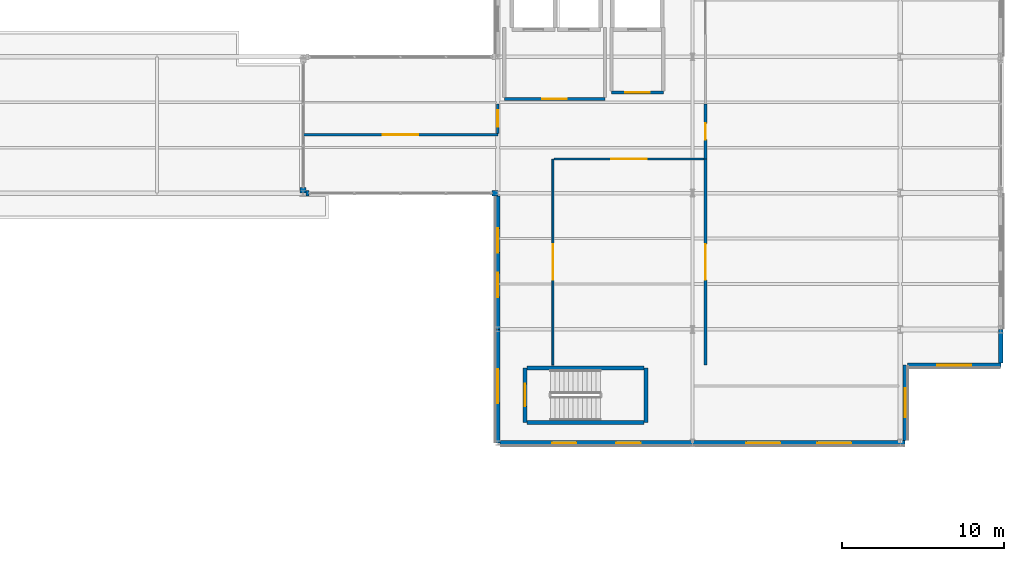
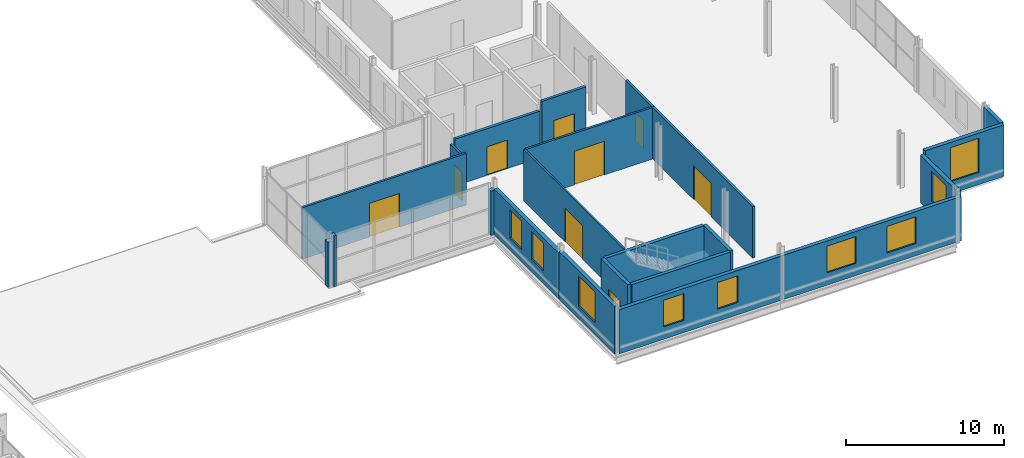
# One storey, part 85 of 93: 22 walls, 9 doors, 9 windows, 18 openings.
"""IFC4 building model written with IfcOpenShell, lengths in metres."""

from ifc_helpers import new_model, si_unit, direction, frame, frame_2d, origin, place, context, subcontext, project, spatial, rectangle, extrude, material, layer, layer_set, type_object, element, fill, save


model = new_model("IFC4")

# Units and contexts
model_context = context("Model", 3, precision=1e-05, world=origin(), true_north=direction((0.0, 1.0)))
body_context = subcontext(model_context, "Body", "Model", "MODEL_VIEW")
ifc_project = project(units=[si_unit("LENGTHUNIT", "METRE"), si_unit("AREAUNIT", "SQUARE_METRE"), si_unit("VOLUMEUNIT", "CUBIC_METRE"), si_unit("PLANEANGLEUNIT", "RADIAN"), si_unit("MASSUNIT", "GRAM", prefix="KILO")], contexts=[model_context])

# Site, building, storey
site_placement = place(None, origin())
site = spatial("IfcSite", under=ifc_project, at=site_placement, CompositionType="ELEMENT")
building_placement = place(site_placement, origin())
building = spatial("IfcBuilding", under=site, at=building_placement, Name="Vekula Escarpment Museum", CompositionType="ELEMENT")
storey_placement = place(building_placement, frame((0.0, 0.0, 22.199951171875)))
storey = spatial("IfcBuildingStorey", under=building, at=storey_placement, Name="L05", CompositionType="ELEMENT", Elevation=22.199951171875)

# Walls
ifc_material_1 = material(Name="Inkisi arkosic sandstone masonry", Category="masonry")
ifc_layer_1 = layer(ifc_material_1, 0.35009765625)
ifc_layer_set_1 = layer_set([ifc_layer_1], Name="Inkisi arkosic sandstone masonry")
wall_type_1 = type_object("IfcWallType", Name="WL-ALM-350", PredefinedType="SOLIDWALL", material=ifc_layer_set_1)
wall_1_placement = place(storey_placement, frame((155.0, 68.360107421875, 0.0), z_axis=(0.0, 0.0, 1.0), x_axis=(0.0, -1.0, 0.0)))
element("IfcWall", 1, at=wall_1_placement, inside=storey, type_object=wall_type_1, Name="Facade Jamb Pier L05-0873B", PredefinedType="SOLIDWALL", context=body_context, shape_type="SweptSolid", body=[
    extrude(rectangle(XDim=0.360107421875, YDim=0.35009765625, at=frame_2d((0.18017578125, 0.0))), origin(), (0.0, 0.0, 1.0), 3.485107421875),
])
wall_2_placement = place(storey_placement, frame((155.178955078125, 68.0, 0.0), z_axis=(0.0, 0.0, 1.0), x_axis=(1.0, 0.0, 0.0)))
element("IfcWall", 2, at=wall_2_placement, inside=storey, type_object=wall_type_1, Name="Facade Jamb Pier L05-0874A", PredefinedType="SOLIDWALL", context=body_context, shape_type="SweptSolid", body=[
    extrude(rectangle(XDim=0.18115234375, YDim=0.35009765625, at=frame_2d((0.090576171875, 0.0))), origin(), (0.0, 0.0, 1.0), 3.97998046875),
])
wall_3_placement = place(storey_placement, frame((166.639892578125, 68.0, 0.0), z_axis=(0.0, 0.0, 1.0), x_axis=(1.0, 0.0, 0.0)))
element("IfcWall", 3, at=wall_3_placement, inside=storey, type_object=wall_type_1, Name="Facade Jamb Pier L05-0875B", PredefinedType="SOLIDWALL", context=body_context, shape_type="SweptSolid", body=[
    extrude(rectangle(XDim=0.360107421875, YDim=0.35009765625, at=frame_2d((0.18017578125, 0.0))), origin(), (0.0, 0.0, 1.0), 3.4150390625),
])

# Wall, opening, door
ifc_material_2 = material(Name="Concrete C35/45", Category="concrete")
ifc_layer_2 = layer(ifc_material_2, 0.25)
ifc_layer_set_2 = layer_set([ifc_layer_2], Name="Concrete C35/45")
wall_type_2 = type_object("IfcWallType", Name="WL-CORE-250", PredefinedType="SHEAR", material=ifc_layer_set_2)
wall_4_placement = place(storey_placement, frame((168.675048828125, 53.875, 0.0), z_axis=(0.0, 0.0, 1.0), x_axis=(0.0, 1.0, 0.0)))
wall_4 = element("IfcWall", 4, at=wall_4_placement, inside=storey, type_object=wall_type_2, Name="Stair Core Wall ST-02 L05 W", PredefinedType="SHEAR", context=body_context, shape_type="SweptSolid", body=[
    extrude(rectangle(XDim=3.35009765625, YDim=0.25, at=frame_2d((1.675048828125, 0.0))), origin(), (0.0, 0.0, 1.0), 3.97998046875),
])
opening_1_placement = place(wall_4_placement, frame((0.97509765625, 0.0, 0.0)))
opening_1 = element("IfcOpeningElement", 5, at=opening_1_placement, cuts=wall_4, Name="Opening DR-FD60", PredefinedType="OPENING", context=body_context, shape_type="SweptSolid", body=[
    extrude(rectangle(XDim=1.39990234375, YDim=2.199951171875, at=frame_2d((0.699951171875, 1.10009765625))), frame((0.0, 0.135009765625, 0.0), z_axis=(0.0, -1.0, 0.0), x_axis=(1.0, 0.0, 0.0)), (0.0, 0.0, 1.0), 0.27001953125),
])
ifc_material_3 = material(Name="Fire-rated steel stair door", Category="steel")
door_type_1 = type_object("IfcDoorType", Name="DR-STAIR-1400x2200", OperationType="NOTDEFINED", PredefinedType="DOOR", material=ifc_material_3)
door_1_placement = place(opening_1_placement, origin())
door_1 = element("IfcDoor", 6, at=door_1_placement, inside=storey, type_object=door_type_1, Name="Protected Exit Stair Door ST-02 L05", OperationType="SINGLE_SWING_RIGHT", OverallHeight=2.199951171875, OverallWidth=1.39990234375, PredefinedType="DOOR", context=body_context, shape_type="SweptSolid", body=[
    extrude(rectangle(XDim=1.39990234375, YDim=2.199951171875, at=frame_2d((0.699951171875, 1.10009765625))), frame((0.0, 0.02490234375, 0.0), z_axis=(0.0, -1.0, 0.0), x_axis=(1.0, 0.0, 0.0)), (0.0, 0.0, 1.0), 0.050048828125),
])
fill(opening_1, door_1)

# Walls
wall_5_placement = place(storey_placement, frame((176.125, 53.875, 0.0), z_axis=(0.0, 0.0, 1.0), x_axis=(0.0, 1.0, 0.0)))
element("IfcWall", 7, at=wall_5_placement, inside=storey, type_object=wall_type_2, Name="Stair Core Wall ST-02 L05 E", PredefinedType="SHEAR", context=body_context, shape_type="SweptSolid", body=[
    extrude(rectangle(XDim=3.35009765625, YDim=0.25, at=frame_2d((1.675048828125, 0.0))), origin(), (0.0, 0.0, 1.0), 3.97998046875),
])
for number, where, z_axis, x_axis, name in (
    (8, (168.803955078125, 53.875, 0.0), (0.0, 0.0, 1.0), (1.0, 0.0, 0.0), "Stair Core Wall ST-02 L05 S"),
    (9, (168.803955078125, 57.22509765625, 0.0), (0.0, 0.0, 1.0), (1.0, 0.0, 0.0), "Stair Core Wall ST-02 L05 N"),
):
    element("IfcWall", number, at=place(storey_placement, frame(where, z_axis=z_axis, x_axis=x_axis)), inside=storey, type_object=wall_type_2, Name=name, PredefinedType="SHEAR", context=body_context, shape_type="SweptSolid", body=[
        extrude(rectangle(XDim=7.192138671875, YDim=0.25, at=frame_2d((3.59619140625, 0.0))), origin(), (0.0, 0.0, 1.0), 3.97998046875),
    ])

# Wall, openings, windows
ifc_material_4 = material(Name="Inkisi arkosic sandstone masonry", Category="masonry")
ifc_layer_3 = layer(ifc_material_4, 0.280029296875)
ifc_layer_set_3 = layer_set([ifc_layer_3], Name="Inkisi arkosic sandstone masonry")
wall_type_3 = type_object("IfcWallType", Name="WL-CUM-280", PredefinedType="SOLIDWALL", material=ifc_layer_set_3)
wall_6_placement = place(storey_placement, frame((167.0, 59.60009765625, 0.0), z_axis=(0.0, 0.0, 1.0), x_axis=(0.0, 1.0, 0.0)))
wall_6 = element("IfcWall", 10, at=wall_6_placement, inside=storey, type_object=wall_type_3, Name="Exterior Wall WL-EXT-L05-0876", PredefinedType="SOLIDWALL", context=body_context, shape_type="SweptSolid", body=[
    extrude(rectangle(XDim=8.220947265625, YDim=0.280029296875, at=frame_2d((4.1103515625, 0.0))), origin(), (0.0, 0.0, 1.0), 3.525146484375),
])
opening_2_placement = place(wall_6_placement, frame((1.990234375, 0.0, 0.949951171875)))
opening_2 = element("IfcOpeningElement", 11, at=opening_2_placement, cuts=wall_6, Name="Opening WN-06", PredefinedType="OPENING", context=body_context, shape_type="SweptSolid", body=[
    extrude(rectangle(XDim=1.5, YDim=2.179931640625, at=frame_2d((0.75, 1.08984375))), frame((0.0, 0.14990234375, 0.0), z_axis=(0.0, -1.0, 0.0), x_axis=(1.0, 0.0, 0.0)), (0.0, 0.0, 1.0), 0.300048828125),
])
opening_3_placement = place(wall_6_placement, frame((4.730712890625, 0.0, 0.949951171875)))
opening_3 = element("IfcOpeningElement", 12, at=opening_3_placement, cuts=wall_6, Name="Opening WN-06", PredefinedType="OPENING", context=body_context, shape_type="SweptSolid", body=[
    extrude(rectangle(XDim=1.5, YDim=2.179931640625, at=frame_2d((0.75, 1.08984375))), frame((0.0, 0.14990234375, 0.0), z_axis=(0.0, -1.0, 0.0), x_axis=(1.0, 0.0, 0.0)), (0.0, 0.0, 1.0), 0.300048828125),
])
ifc_material_5 = material(Name="Double solar-control low-E glass", Category="glass")
window_type_1 = type_object("IfcWindowType", Name="WN-CUMBA-15x24", PartitioningType="SINGLE_PANEL", PredefinedType="WINDOW", material=ifc_material_5)
window_1_placement = place(opening_2_placement, origin())
window_1 = element("IfcWindow", 13, at=window_1_placement, inside=storey, type_object=window_type_1, Name="Window L05-0469", OverallHeight=2.179931640625, OverallWidth=1.5, PartitioningType="SINGLE_PANEL", PredefinedType="WINDOW", context=body_context, shape_type="SweptSolid", body=[
    extrude(rectangle(XDim=1.5, YDim=2.179931640625, at=frame_2d((0.75, 1.08984375))), frame((0.0, 0.030029296875, 0.0), z_axis=(0.0, -1.0, 0.0), x_axis=(1.0, 0.0, 0.0)), (0.0, 0.0, 1.0), 0.06005859375),
])
fill(opening_2, window_1)
window_2_placement = place(opening_3_placement, origin())
window_2 = element("IfcWindow", 14, at=window_2_placement, inside=storey, type_object=window_type_1, Name="Window L05-0470", OverallHeight=2.179931640625, OverallWidth=1.5, PartitioningType="SINGLE_PANEL", PredefinedType="WINDOW", context=body_context, shape_type="SweptSolid", body=[
    extrude(rectangle(XDim=1.5, YDim=2.179931640625, at=frame_2d((0.75, 1.08984375))), frame((0.0, 0.030029296875, 0.0), z_axis=(0.0, -1.0, 0.0), x_axis=(1.0, 0.0, 0.0)), (0.0, 0.0, 1.0), 0.06005859375),
])
fill(opening_3, window_2)

# Wall, opening, window
wall_7_placement = place(storey_placement, frame((167.0, 52.60009765625, 0.0), z_axis=(0.0, 0.0, 1.0), x_axis=(0.0, 1.0, 0.0)))
wall_7 = element("IfcWall", 15, at=wall_7_placement, inside=storey, type_object=wall_type_3, Name="Exterior Wall WL-EXT-L05-0877", PredefinedType="SOLIDWALL", context=body_context, shape_type="SweptSolid", body=[
    extrude(rectangle(XDim=7.0, YDim=0.280029296875, at=frame_2d((3.5, 0.0))), origin(), (0.0, 0.0, 1.0), 3.675048828125),
])
opening_4_placement = place(wall_7_placement, frame((2.449951171875, 0.0, 0.949951171875)))
opening_4 = element("IfcOpeningElement", 16, at=opening_4_placement, cuts=wall_7, Name="Opening WN-08", PredefinedType="OPENING", context=body_context, shape_type="SweptSolid", body=[
    extrude(rectangle(XDim=2.10009765625, YDim=2.330078125, at=frame_2d((1.050048828125, 1.1650390625))), frame((0.0, 0.14990234375, 0.0), z_axis=(0.0, -1.0, 0.0), x_axis=(1.0, 0.0, 0.0)), (0.0, 0.0, 1.0), 0.300048828125),
])
ifc_material_6 = material(Name="Double solar-control low-E glass", Category="glass")
window_type_2 = type_object("IfcWindowType", Name="WN-CUMBA-21x28", PartitioningType="DOUBLE_PANEL_VERTICAL", PredefinedType="WINDOW", material=ifc_material_6)
window_3_placement = place(opening_4_placement, origin())
window_3 = element("IfcWindow", 17, at=window_3_placement, inside=storey, type_object=window_type_2, Name="Window L05-0471", OverallHeight=2.330078125, OverallWidth=2.10009765625, PartitioningType="SINGLE_PANEL", PredefinedType="WINDOW", context=body_context, shape_type="SweptSolid", body=[
    extrude(rectangle(XDim=2.10009765625, YDim=2.330078125, at=frame_2d((1.050048828125, 1.1650390625))), frame((0.0, 0.030029296875, 0.0), z_axis=(0.0, -1.0, 0.0), x_axis=(1.0, 0.0, 0.0)), (0.0, 0.0, 1.0), 0.06005859375),
])
fill(opening_4, window_3)

# Wall, openings, windows
wall_8_placement = place(storey_placement, frame((179.0, 52.60009765625, 0.0), z_axis=(0.0, 0.0, 1.0), x_axis=(-1.0, 0.0, 0.0)))
wall_8 = element("IfcWall", 18, at=wall_8_placement, inside=storey, type_object=wall_type_3, Name="Exterior Wall WL-EXT-L05-0878", PredefinedType="SOLIDWALL", context=body_context, shape_type="SweptSolid", body=[
    extrude(rectangle(XDim=11.85595703125, YDim=0.280029296875, at=frame_2d((5.927978515625, 0.0))), origin(), (0.0, 0.0, 1.0), 3.4150390625),
])
opening_5_placement = place(wall_8_placement, frame((3.201904296875, 0.0, 0.949951171875)))
opening_5 = element("IfcOpeningElement", 19, at=opening_5_placement, cuts=wall_8, Name="Opening WN-06", PredefinedType="OPENING", context=body_context, shape_type="SweptSolid", body=[
    extrude(rectangle(XDim=1.5, YDim=2.06005859375, at=frame_2d((0.75, 1.030029296875))), frame((0.0, 0.14990234375, 0.0), z_axis=(0.0, -1.0, 0.0), x_axis=(1.0, 0.0, 0.0)), (0.0, 0.0, 1.0), 0.300048828125),
])
opening_6_placement = place(wall_8_placement, frame((7.154052734375, 0.0, 0.949951171875)))
opening_6 = element("IfcOpeningElement", 20, at=opening_6_placement, cuts=wall_8, Name="Opening WN-06", PredefinedType="OPENING", context=body_context, shape_type="SweptSolid", body=[
    extrude(rectangle(XDim=1.5, YDim=2.06005859375, at=frame_2d((0.75, 1.030029296875))), frame((0.0, 0.14990234375, 0.0), z_axis=(0.0, -1.0, 0.0), x_axis=(1.0, 0.0, 0.0)), (0.0, 0.0, 1.0), 0.300048828125),
])
window_4_placement = place(opening_5_placement, origin())
window_4 = element("IfcWindow", 21, at=window_4_placement, inside=storey, type_object=window_type_1, Name="Window L05-0472", OverallHeight=2.06005859375, OverallWidth=1.5, PartitioningType="SINGLE_PANEL", PredefinedType="WINDOW", context=body_context, shape_type="SweptSolid", body=[
    extrude(rectangle(XDim=1.5, YDim=2.06005859375, at=frame_2d((0.75, 1.030029296875))), frame((0.0, 0.030029296875, 0.0), z_axis=(0.0, -1.0, 0.0), x_axis=(1.0, 0.0, 0.0)), (0.0, 0.0, 1.0), 0.06005859375),
])
fill(opening_5, window_4)
window_5_placement = place(opening_6_placement, origin())
window_5 = element("IfcWindow", 22, at=window_5_placement, inside=storey, type_object=window_type_1, Name="Window L05-0473", OverallHeight=2.06005859375, OverallWidth=1.5, PartitioningType="SINGLE_PANEL", PredefinedType="WINDOW", context=body_context, shape_type="SweptSolid", body=[
    extrude(rectangle(XDim=1.5, YDim=2.06005859375, at=frame_2d((0.75, 1.030029296875))), frame((0.0, 0.030029296875, 0.0), z_axis=(0.0, -1.0, 0.0), x_axis=(1.0, 0.0, 0.0)), (0.0, 0.0, 1.0), 0.06005859375),
])
fill(opening_6, window_5)

wall_9_placement = place(storey_placement, frame((192.110107421875, 52.60009765625, 0.0), z_axis=(0.0, 0.0, 1.0), x_axis=(-1.0, 0.0, 0.0)))
wall_9 = element("IfcWall", 23, at=wall_9_placement, inside=storey, type_object=wall_type_3, Name="Exterior Wall WL-EXT-L05-0879", PredefinedType="SOLIDWALL", context=body_context, shape_type="SweptSolid", body=[
    extrude(rectangle(XDim=13.110107421875, YDim=0.280029296875, at=frame_2d((6.55517578125, 0.0))), origin(), (0.0, 0.0, 1.0), 3.4150390625),
])
opening_7_placement = place(wall_9_placement, frame((3.320068359375, 0.0, 0.949951171875)))
opening_7 = element("IfcOpeningElement", 24, at=opening_7_placement, cuts=wall_9, Name="Opening WN-08", PredefinedType="OPENING", context=body_context, shape_type="SweptSolid", body=[
    extrude(rectangle(XDim=2.10009765625, YDim=2.06005859375, at=frame_2d((1.050048828125, 1.030029296875))), frame((0.0, 0.14990234375, 0.0), z_axis=(0.0, -1.0, 0.0), x_axis=(1.0, 0.0, 0.0)), (0.0, 0.0, 1.0), 0.300048828125),
])
opening_8_placement = place(wall_9_placement, frame((7.68994140625, 0.0, 0.949951171875)))
opening_8 = element("IfcOpeningElement", 25, at=opening_8_placement, cuts=wall_9, Name="Opening WN-08", PredefinedType="OPENING", context=body_context, shape_type="SweptSolid", body=[
    extrude(rectangle(XDim=2.10009765625, YDim=2.06005859375, at=frame_2d((1.050048828125, 1.030029296875))), frame((0.0, 0.14990234375, 0.0), z_axis=(0.0, -1.0, 0.0), x_axis=(1.0, 0.0, 0.0)), (0.0, 0.0, 1.0), 0.300048828125),
])
window_6_placement = place(opening_7_placement, origin())
window_6 = element("IfcWindow", 26, at=window_6_placement, inside=storey, type_object=window_type_2, Name="Window L05-0474", OverallHeight=2.06005859375, OverallWidth=2.10009765625, PartitioningType="SINGLE_PANEL", PredefinedType="WINDOW", context=body_context, shape_type="SweptSolid", body=[
    extrude(rectangle(XDim=2.10009765625, YDim=2.06005859375, at=frame_2d((1.050048828125, 1.030029296875))), frame((0.0, 0.030029296875, 0.0), z_axis=(0.0, -1.0, 0.0), x_axis=(1.0, 0.0, 0.0)), (0.0, 0.0, 1.0), 0.06005859375),
])
fill(opening_7, window_6)
window_7_placement = place(opening_8_placement, origin())
window_7 = element("IfcWindow", 27, at=window_7_placement, inside=storey, type_object=window_type_2, Name="Window L05-0475", OverallHeight=2.06005859375, OverallWidth=2.10009765625, PartitioningType="SINGLE_PANEL", PredefinedType="WINDOW", context=body_context, shape_type="SweptSolid", body=[
    extrude(rectangle(XDim=2.10009765625, YDim=2.06005859375, at=frame_2d((1.050048828125, 1.030029296875))), frame((0.0, 0.030029296875, 0.0), z_axis=(0.0, -1.0, 0.0), x_axis=(1.0, 0.0, 0.0)), (0.0, 0.0, 1.0), 0.06005859375),
])
fill(opening_8, window_7)

# Wall, opening, window
wall_10_placement = place(storey_placement, frame((192.110107421875, 57.39990234375, 0.0), z_axis=(0.0, 0.0, 1.0), x_axis=(0.0, -1.0, 0.0)))
wall_10 = element("IfcWall", 28, at=wall_10_placement, inside=storey, type_object=wall_type_3, Name="Exterior Wall WL-EXT-L05-0880", PredefinedType="SOLIDWALL", context=body_context, shape_type="SweptSolid", body=[
    extrude(rectangle(XDim=4.656005859375, YDim=0.280029296875, at=frame_2d((2.328125, 0.0))), origin(), (0.0, 0.0, 1.0), 3.675048828125),
])
opening_9_placement = place(wall_10_placement, frame((1.427978515625, 0.0, 0.949951171875)))
opening_9 = element("IfcOpeningElement", 29, at=opening_9_placement, cuts=wall_10, Name="Opening WN-07", PredefinedType="OPENING", context=body_context, shape_type="SweptSolid", body=[
    extrude(rectangle(XDim=1.800048828125, YDim=2.330078125, at=frame_2d((0.89990234375, 1.1650390625))), frame((0.0, 0.14990234375, 0.0), z_axis=(0.0, -1.0, 0.0), x_axis=(1.0, 0.0, 0.0)), (0.0, 0.0, 1.0), 0.300048828125),
])
ifc_material_7 = material(Name="Double solar-control low-E glass", Category="glass")
window_type_3 = type_object("IfcWindowType", Name="WN-CUMBA-18x26", PartitioningType="DOUBLE_PANEL_VERTICAL", PredefinedType="WINDOW", material=ifc_material_7)
window_8_placement = place(opening_9_placement, origin())
window_8 = element("IfcWindow", 30, at=window_8_placement, inside=storey, type_object=window_type_3, Name="Window L05-0476", OverallHeight=2.330078125, OverallWidth=1.800048828125, PartitioningType="SINGLE_PANEL", PredefinedType="WINDOW", context=body_context, shape_type="SweptSolid", body=[
    extrude(rectangle(XDim=1.800048828125, YDim=2.330078125, at=frame_2d((0.89990234375, 1.1650390625))), frame((0.0, 0.030029296875, 0.0), z_axis=(0.0, -1.0, 0.0), x_axis=(1.0, 0.0, 0.0)), (0.0, 0.0, 1.0), 0.06005859375),
])
fill(opening_9, window_8)

wall_11_placement = place(storey_placement, frame((198.0, 57.39990234375, 0.0), z_axis=(0.0, 0.0, 1.0), x_axis=(-1.0, 0.0, 0.0)))
wall_11 = element("IfcWall", 31, at=wall_11_placement, inside=storey, type_object=wall_type_3, Name="Exterior Wall WL-EXT-L05-0881", PredefinedType="SOLIDWALL", context=body_context, shape_type="SweptSolid", body=[
    extrude(rectangle(XDim=5.74609375, YDim=0.280029296875, at=frame_2d((2.873046875, 0.0))), origin(), (0.0, 0.0, 1.0), 3.97998046875),
])
opening_10_placement = place(wall_11_placement, frame((1.822998046875, 0.0, 0.949951171875)))
opening_10 = element("IfcOpeningElement", 32, at=opening_10_placement, cuts=wall_11, Name="Opening WN-08", PredefinedType="OPENING", context=body_context, shape_type="SweptSolid", body=[
    extrude(rectangle(XDim=2.10009765625, YDim=2.6298828125, at=frame_2d((1.050048828125, 1.31494140625))), frame((0.0, 0.14990234375, 0.0), z_axis=(0.0, -1.0, 0.0), x_axis=(1.0, 0.0, 0.0)), (0.0, 0.0, 1.0), 0.300048828125),
])
window_9_placement = place(opening_10_placement, origin())
window_9 = element("IfcWindow", 33, at=window_9_placement, inside=storey, type_object=window_type_2, Name="Window L05-0477", OverallHeight=2.6298828125, OverallWidth=2.10009765625, PartitioningType="SINGLE_PANEL", PredefinedType="WINDOW", context=body_context, shape_type="SweptSolid", body=[
    extrude(rectangle(XDim=2.10009765625, YDim=2.6298828125, at=frame_2d((1.050048828125, 1.31494140625))), frame((0.0, 0.030029296875, 0.0), z_axis=(0.0, -1.0, 0.0), x_axis=(1.0, 0.0, 0.0)), (0.0, 0.0, 1.0), 0.06005859375),
])
fill(opening_10, window_9)

# Wall
wall_12_placement = place(storey_placement, frame((198.0, 59.60009765625, 0.0), z_axis=(0.0, 0.0, 1.0), x_axis=(0.0, -1.0, 0.0)))
element("IfcWall", 34, at=wall_12_placement, inside=storey, type_object=wall_type_3, Name="Exterior Wall WL-EXT-L05-0882", PredefinedType="SOLIDWALL", context=body_context, shape_type="SweptSolid", body=[
    extrude(rectangle(XDim=2.05615234375, YDim=0.280029296875, at=frame_2d((1.028076171875, 0.0))), origin(), (0.0, 0.0, 1.0), 3.97998046875),
])

# Wall, opening, door
ifc_material_8 = material(Name="Concrete C35/45", Category="concrete")
ifc_layer_4 = layer(ifc_material_8, 0.199951171875)
ifc_layer_set_4 = layer_set([ifc_layer_4], Name="Concrete C35/45")
wall_type_4 = type_object("IfcWallType", Name="WL-FFL-200", PredefinedType="PARTITIONING", material=ifc_layer_set_4)
wall_13_placement = place(storey_placement, frame((167.39990234375, 73.800048828125, 0.0), z_axis=(0.0, 0.0, 1.0), x_axis=(1.0, 0.0, 0.0)))
wall_13 = element("IfcWall", 35, at=wall_13_placement, inside=storey, type_object=wall_type_4, Name="Lift Lobby Wall LF-01 L05 S", PredefinedType="PARTITIONING", context=body_context, shape_type="SweptSolid", body=[
    extrude(rectangle(XDim=6.2001953125, YDim=0.199951171875, at=frame_2d((3.10009765625, 0.0))), origin(), (0.0, 0.0, 1.0), 3.60498046875),
])
opening_11_placement = place(wall_13_placement, frame((2.35009765625, 0.0, 0.0)))
opening_11 = element("IfcOpeningElement", 36, at=opening_11_placement, cuts=wall_13, Name="Opening DR-FD60L", PredefinedType="OPENING", context=body_context, shape_type="SweptSolid", body=[
    extrude(rectangle(XDim=1.5, YDim=2.199951171875, at=frame_2d((0.75, 1.10009765625))), frame((0.0, 0.10986328125, 0.0), z_axis=(0.0, -1.0, 0.0), x_axis=(1.0, 0.0, 0.0)), (0.0, 0.0, 1.0), 0.219970703125),
])
ifc_material_9 = material(Name="Fire-rated glazed lobby door", Category="steel")
door_type_2 = type_object("IfcDoorType", Name="DR-FFLOB-1500x2200", OperationType="NOTDEFINED", PredefinedType="DOOR", material=ifc_material_9)
door_2_placement = place(opening_11_placement, origin())
door_2 = element("IfcDoor", 37, at=door_2_placement, inside=storey, type_object=door_type_2, Name="Lift Lobby Fire Door LF-01 L05", OperationType="SINGLE_SWING_RIGHT", OverallHeight=2.199951171875, OverallWidth=1.5, PredefinedType="DOOR", context=body_context, shape_type="SweptSolid", body=[
    extrude(rectangle(XDim=1.5, YDim=2.199951171875, at=frame_2d((0.75, 1.10009765625))), frame((0.0, 0.02490234375, 0.0), z_axis=(0.0, -1.0, 0.0), x_axis=(1.0, 0.0, 0.0)), (0.0, 0.0, 1.0), 0.050048828125),
])
fill(opening_11, door_2)

wall_14_placement = place(storey_placement, frame((174.0, 74.199951171875, 0.0), z_axis=(0.0, 0.0, 1.0), x_axis=(1.0, 0.0, 0.0)))
wall_14 = element("IfcWall", 38, at=wall_14_placement, inside=storey, type_object=wall_type_4, Name="Lift Lobby Wall LP-03 L05 S", PredefinedType="PARTITIONING", context=body_context, shape_type="SweptSolid", body=[
    extrude(rectangle(XDim=3.199951171875, YDim=0.199951171875, at=frame_2d((1.60009765625, 0.0))), origin(), (0.0, 0.0, 1.0), 3.97998046875),
])
opening_12_placement = place(wall_14_placement, frame((0.85009765625, 0.0, 0.0)))
opening_12 = element("IfcOpeningElement", 39, at=opening_12_placement, cuts=wall_14, Name="Opening DR-FD60L", PredefinedType="OPENING", context=body_context, shape_type="SweptSolid", body=[
    extrude(rectangle(XDim=1.5, YDim=2.199951171875, at=frame_2d((0.75, 1.10009765625))), frame((0.0, 0.10986328125, 0.0), z_axis=(0.0, -1.0, 0.0), x_axis=(1.0, 0.0, 0.0)), (0.0, 0.0, 1.0), 0.219970703125),
])
door_3_placement = place(opening_12_placement, origin())
door_3 = element("IfcDoor", 40, at=door_3_placement, inside=storey, type_object=door_type_2, Name="Lift Lobby Fire Door LP-03 L05", OperationType="SINGLE_SWING_RIGHT", OverallHeight=2.199951171875, OverallWidth=1.5, PredefinedType="DOOR", context=body_context, shape_type="SweptSolid", body=[
    extrude(rectangle(XDim=1.5, YDim=2.199951171875, at=frame_2d((0.75, 1.10009765625))), frame((0.0, 0.02490234375, 0.0), z_axis=(0.0, -1.0, 0.0), x_axis=(1.0, 0.0, 0.0)), (0.0, 0.0, 1.0), 0.050048828125),
])
fill(opening_12, door_3)

ifc_material_10 = material(Name="Lightweight studio partition", Category="gypsum")
ifc_layer_5 = layer(ifc_material_10, 0.1201171875)
ifc_layer_set_5 = layer_set([ifc_layer_5], Name="Lightweight studio partition")
wall_type_5 = type_object("IfcWallType", Name="WL-PART-120", PredefinedType="PARTITIONING", material=ifc_layer_set_5)
wall_15_placement = place(storey_placement, frame((170.39990234375, 57.39990234375, 0.0), z_axis=(0.0, 0.0, 1.0), x_axis=(0.0, 1.0, 0.0)))
wall_15 = element("IfcWall", 41, at=wall_15_placement, inside=storey, type_object=wall_type_5, Name="Interior Partition WL-INT-L05-0036", PredefinedType="PARTITIONING", context=body_context, shape_type="SweptSolid", body=[
    extrude(rectangle(XDim=12.7001953125, YDim=0.1201171875, at=frame_2d((6.35009765625, 0.0))), origin(), (0.0, 0.0, 1.0), 3.97998046875),
])
opening_13_placement = place(wall_15_placement, frame((5.25, 0.0, 0.0)))
opening_13 = element("IfcOpeningElement", 42, at=opening_13_placement, cuts=wall_15, Name="Opening DR-GL22", PredefinedType="OPENING", context=body_context, shape_type="SweptSolid", body=[
    extrude(rectangle(XDim=2.199951171875, YDim=2.60009765625, at=frame_2d((1.10009765625, 1.300048828125))), frame((0.0, 0.070068359375, 0.0), z_axis=(0.0, -1.0, 0.0), x_axis=(1.0, 0.0, 0.0)), (0.0, 0.0, 1.0), 0.14013671875),
])
ifc_material_11 = material(Name="Double acoustic timber gallery door", Category="wood")
door_type_3 = type_object("IfcDoorType", Name="DR-GAL-2200x2600", OperationType="NOTDEFINED", PredefinedType="DOOR", material=ifc_material_11)
door_4_placement = place(opening_13_placement, origin())
door_4 = element("IfcDoor", 43, at=door_4_placement, inside=storey, type_object=door_type_3, Name="Interior Door L05-034", OperationType="SINGLE_SWING_RIGHT", OverallHeight=2.60009765625, OverallWidth=2.199951171875, PredefinedType="DOOR", context=body_context, shape_type="SweptSolid", body=[
    extrude(rectangle(XDim=2.199951171875, YDim=2.60009765625, at=frame_2d((1.10009765625, 1.300048828125))), frame((0.0, 0.02490234375, 0.0), z_axis=(0.0, -1.0, 0.0), x_axis=(1.0, 0.0, 0.0)), (0.0, 0.0, 1.0), 0.050048828125),
])
fill(opening_13, door_4)

ifc_material_12 = material(Name="Gypsum board dry-lined partition", Category="gypsum")
ifc_layer_6 = layer(ifc_material_12, 0.14990234375)
ifc_layer_set_6 = layer_set([ifc_layer_6], Name="Gypsum board dry-lined partition")
wall_type_6 = type_object("IfcWallType", Name="WL-PART-150", PredefinedType="PARTITIONING", material=ifc_layer_set_6)
wall_16_placement = place(storey_placement, frame((167.0, 71.68408203125, 0.0), z_axis=(0.0, 0.0, 1.0), x_axis=(0.0, 1.0, 0.0)))
wall_16 = element("IfcWall", 44, at=wall_16_placement, inside=storey, type_object=wall_type_6, Name="Interior Partition WL-INT-L05-0035", PredefinedType="PARTITIONING", context=body_context, shape_type="SweptSolid", body=[
    extrude(rectangle(XDim=1.81591796875, YDim=0.14990234375, at=frame_2d((0.907958984375, 0.0))), origin(), (0.0, 0.0, 1.0), 3.525146484375),
])
opening_14_placement = place(wall_16_placement, frame((0.407958984375, 0.0, 0.0)))
opening_14 = element("IfcOpeningElement", 45, at=opening_14_placement, cuts=wall_16, Name="Opening DR-OF10", PredefinedType="OPENING", context=body_context, shape_type="SweptSolid", body=[
    extrude(rectangle(XDim=1.0, YDim=2.14990234375, at=frame_2d((0.5, 1.074951171875))), frame((0.0, 0.0849609375, 0.0), z_axis=(0.0, -1.0, 0.0), x_axis=(1.0, 0.0, 0.0)), (0.0, 0.0, 1.0), 0.169921875),
])
ifc_material_13 = material(Name="Solid core timber study door", Category="wood")
door_type_4 = type_object("IfcDoorType", Name="DR-OFF-1000x2150", OperationType="NOTDEFINED", PredefinedType="DOOR", material=ifc_material_13)
door_5_placement = place(opening_14_placement, origin())
door_5 = element("IfcDoor", 46, at=door_5_placement, inside=storey, type_object=door_type_4, Name="Interior Door L05-033", OperationType="SINGLE_SWING_LEFT", OverallHeight=2.14990234375, OverallWidth=1.0, PredefinedType="DOOR", context=body_context, shape_type="SweptSolid", body=[
    extrude(rectangle(XDim=1.0, YDim=2.14990234375, at=frame_2d((0.5, 1.074951171875))), frame((0.0, 0.02490234375, 0.0), z_axis=(0.0, -1.0, 0.0), x_axis=(1.0, 0.0, 0.0)), (0.0, 0.0, 1.0), 0.050048828125),
])
fill(opening_14, door_5)

wall_17_placement = place(storey_placement, frame((170.464111328125, 70.10009765625, 0.0), z_axis=(0.0, 0.0, 1.0), x_axis=(1.0, 0.0, 0.0)))
wall_17 = element("IfcWall", 47, at=wall_17_placement, inside=storey, type_object=wall_type_6, Name="Interior Partition WL-INT-L05-0038", PredefinedType="PARTITIONING", context=body_context, shape_type="SweptSolid", body=[
    extrude(rectangle(XDim=9.251953125, YDim=0.14990234375, at=frame_2d((4.6259765625, 0.0))), origin(), (0.0, 0.0, 1.0), 3.97998046875),
])
opening_15_placement = place(wall_17_placement, frame((3.52587890625, 0.0, 0.0)))
opening_15 = element("IfcOpeningElement", 48, at=opening_15_placement, cuts=wall_17, Name="Opening DR-GL22", PredefinedType="OPENING", context=body_context, shape_type="SweptSolid", body=[
    extrude(rectangle(XDim=2.199951171875, YDim=2.60009765625, at=frame_2d((1.10009765625, 1.300048828125))), frame((0.0, 0.0849609375, 0.0), z_axis=(0.0, -1.0, 0.0), x_axis=(1.0, 0.0, 0.0)), (0.0, 0.0, 1.0), 0.169921875),
])
door_6_placement = place(opening_15_placement, origin())
door_6 = element("IfcDoor", 49, at=door_6_placement, inside=storey, type_object=door_type_3, Name="Interior Door L05-036", OperationType="SINGLE_SWING_RIGHT", OverallHeight=2.60009765625, OverallWidth=2.199951171875, PredefinedType="DOOR", context=body_context, shape_type="SweptSolid", body=[
    extrude(rectangle(XDim=2.199951171875, YDim=2.60009765625, at=frame_2d((1.10009765625, 1.300048828125))), frame((0.0, 0.02490234375, 0.0), z_axis=(0.0, -1.0, 0.0), x_axis=(1.0, 0.0, 0.0)), (0.0, 0.0, 1.0), 0.050048828125),
])
fill(opening_15, door_6)

ifc_material_14 = material(Name="Gypsum board gallery partition", Category="gypsum")
ifc_layer_7 = layer(ifc_material_14, 0.159912109375)
ifc_layer_set_7 = layer_set([ifc_layer_7], Name="Gypsum board gallery partition")
wall_type_7 = type_object("IfcWallType", Name="WL-PART-160", PredefinedType="PARTITIONING", material=ifc_layer_set_7)
wall_18_placement = place(storey_placement, frame((155.0, 71.60009765625, 0.0), z_axis=(0.0, 0.0, 1.0), x_axis=(1.0, 0.0, 0.0)))
wall_18 = element("IfcWall", 50, at=wall_18_placement, inside=storey, type_object=wall_type_7, Name="Interior Partition WL-INT-L05-0034", PredefinedType="PARTITIONING", context=body_context, shape_type="SweptSolid", body=[
    extrude(rectangle(XDim=12.0, YDim=0.159912109375, at=frame_2d((6.0, 0.0))), origin(), (0.0, 0.0, 1.0), 3.97998046875),
])
opening_16_placement = place(wall_18_placement, frame((4.89990234375, 0.0, 0.0)))
opening_16 = element("IfcOpeningElement", 51, at=opening_16_placement, cuts=wall_18, Name="Opening DR-GL22", PredefinedType="OPENING", context=body_context, shape_type="SweptSolid", body=[
    extrude(rectangle(XDim=2.199951171875, YDim=2.60009765625, at=frame_2d((1.10009765625, 1.300048828125))), frame((0.0, 0.08984375, 0.0), z_axis=(0.0, -1.0, 0.0), x_axis=(1.0, 0.0, 0.0)), (0.0, 0.0, 1.0), 0.179931640625),
])
door_7_placement = place(opening_16_placement, origin())
door_7 = element("IfcDoor", 52, at=door_7_placement, inside=storey, type_object=door_type_3, Name="Interior Door L05-032", OperationType="SINGLE_SWING_RIGHT", OverallHeight=2.60009765625, OverallWidth=2.199951171875, PredefinedType="DOOR", context=body_context, shape_type="SweptSolid", body=[
    extrude(rectangle(XDim=2.199951171875, YDim=2.60009765625, at=frame_2d((1.10009765625, 1.300048828125))), frame((0.0, 0.02490234375, 0.0), z_axis=(0.0, -1.0, 0.0), x_axis=(1.0, 0.0, 0.0)), (0.0, 0.0, 1.0), 0.050048828125),
])
fill(opening_16, door_7)

wall_19_placement = place(storey_placement, frame((179.800048828125, 70.10009765625, 0.0), z_axis=(0.0, 0.0, 1.0), x_axis=(0.0, 1.0, 0.0)))
wall_19 = element("IfcWall", 53, at=wall_19_placement, inside=storey, type_object=wall_type_7, Name="Interior Partition WL-INT-L05-0037", PredefinedType="PARTITIONING", context=body_context, shape_type="SweptSolid", body=[
    extrude(rectangle(XDim=3.39990234375, YDim=0.159912109375, at=frame_2d((1.699951171875, 0.0))), origin(), (0.0, 0.0, 1.0), 3.97998046875),
])
opening_17_placement = place(wall_19_placement, frame((1.199951171875, 0.0, 0.0)))
opening_17 = element("IfcOpeningElement", 54, at=opening_17_placement, cuts=wall_19, Name="Opening DR-OF10", PredefinedType="OPENING", context=body_context, shape_type="SweptSolid", body=[
    extrude(rectangle(XDim=1.0, YDim=2.14990234375, at=frame_2d((0.5, 1.074951171875))), frame((0.0, 0.08984375, 0.0), z_axis=(0.0, -1.0, 0.0), x_axis=(1.0, 0.0, 0.0)), (0.0, 0.0, 1.0), 0.179931640625),
])
door_8_placement = place(opening_17_placement, origin())
door_8 = element("IfcDoor", 55, at=door_8_placement, inside=storey, type_object=door_type_4, Name="Interior Door L05-035", OperationType="SINGLE_SWING_LEFT", OverallHeight=2.14990234375, OverallWidth=1.0, PredefinedType="DOOR", context=body_context, shape_type="SweptSolid", body=[
    extrude(rectangle(XDim=1.0, YDim=2.14990234375, at=frame_2d((0.5, 1.074951171875))), frame((0.0, 0.02490234375, 0.0), z_axis=(0.0, -1.0, 0.0), x_axis=(1.0, 0.0, 0.0)), (0.0, 0.0, 1.0), 0.050048828125),
])
fill(opening_17, door_8)

wall_20_placement = place(storey_placement, frame((179.800048828125, 57.39990234375, 0.0), z_axis=(0.0, 0.0, 1.0), x_axis=(0.0, 1.0, 0.0)))
wall_20 = element("IfcWall", 56, at=wall_20_placement, inside=storey, type_object=wall_type_7, Name="Interior Partition WL-INT-L05-0043", PredefinedType="PARTITIONING", context=body_context, shape_type="SweptSolid", body=[
    extrude(rectangle(XDim=12.7001953125, YDim=0.159912109375, at=frame_2d((6.35009765625, 0.0))), origin(), (0.0, 0.0, 1.0), 3.97998046875),
])
opening_18_placement = place(wall_20_placement, frame((5.25, 0.0, 0.0)))
opening_18 = element("IfcOpeningElement", 57, at=opening_18_placement, cuts=wall_20, Name="Opening DR-GL22", PredefinedType="OPENING", context=body_context, shape_type="SweptSolid", body=[
    extrude(rectangle(XDim=2.199951171875, YDim=2.60009765625, at=frame_2d((1.10009765625, 1.300048828125))), frame((0.0, 0.08984375, 0.0), z_axis=(0.0, -1.0, 0.0), x_axis=(1.0, 0.0, 0.0)), (0.0, 0.0, 1.0), 0.179931640625),
])
door_9_placement = place(opening_18_placement, origin())
door_9 = element("IfcDoor", 58, at=door_9_placement, inside=storey, type_object=door_type_3, Name="Interior Door L05-040", OperationType="SINGLE_SWING_RIGHT", OverallHeight=2.60009765625, OverallWidth=2.199951171875, PredefinedType="DOOR", context=body_context, shape_type="SweptSolid", body=[
    extrude(rectangle(XDim=2.199951171875, YDim=2.60009765625, at=frame_2d((1.10009765625, 1.300048828125))), frame((0.0, 0.02490234375, 0.0), z_axis=(0.0, -1.0, 0.0), x_axis=(1.0, 0.0, 0.0)), (0.0, 0.0, 1.0), 0.050048828125),
])
fill(opening_18, door_9)

save(model, "model.ifc")
